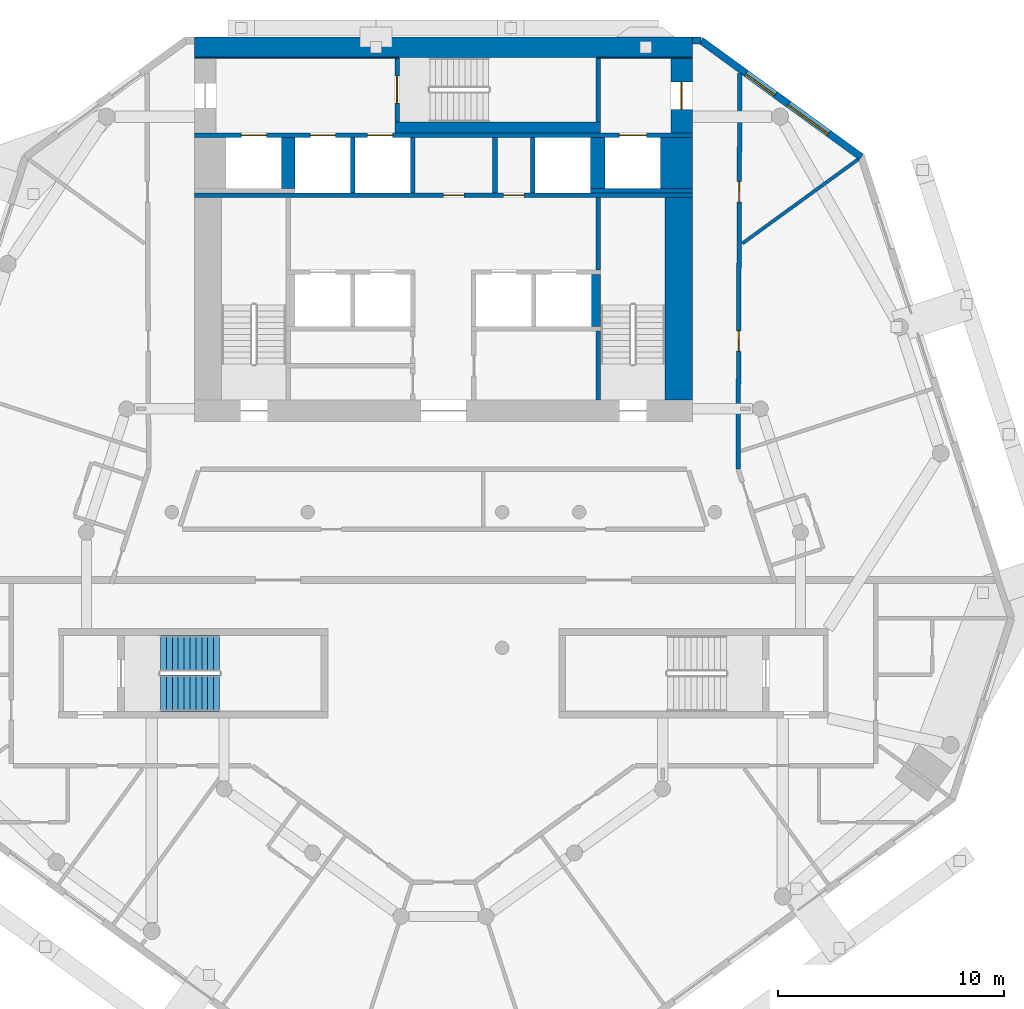
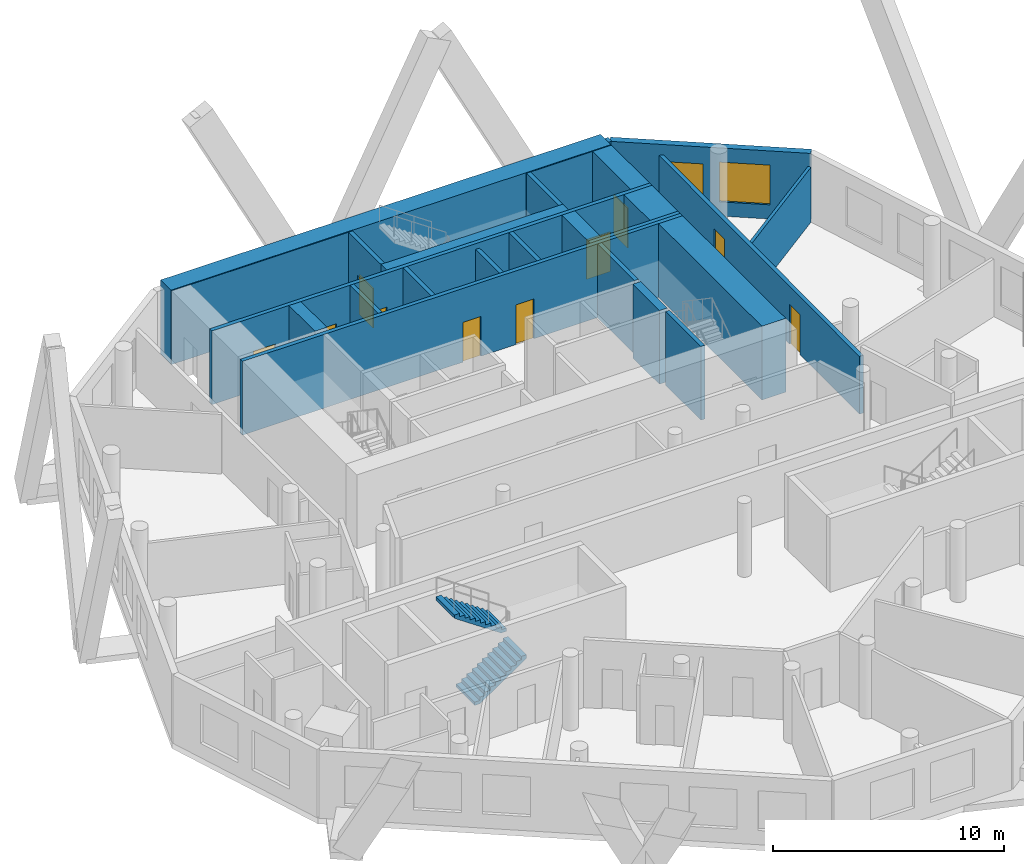
# One storey, part 7 of 10: 25 walls, 10 doors, 2 stair flights, 2 windows, 12 openings, 1 element without a shape of its own.
"""IFC4 building model written with IfcOpenShell, lengths in metres."""

from ifc_helpers import new_model, si_unit, direction, frame, frame_2d, origin, place, context, subcontext, project, spatial, polyline, rectangle, outline, extrude, material, layer, layer_set, type_object, element, fill, aggregate, save


model = new_model("IFC4")

# Units and contexts
model_context = context("Model", 3, precision=1e-05, world=origin(), true_north=direction((0.0, 1.0)))
body_context = subcontext(model_context, "Body", "Model", "MODEL_VIEW")
ifc_project = project(units=[si_unit("LENGTHUNIT", "METRE"), si_unit("AREAUNIT", "SQUARE_METRE"), si_unit("VOLUMEUNIT", "CUBIC_METRE"), si_unit("PLANEANGLEUNIT", "RADIAN"), si_unit("MASSUNIT", "GRAM", prefix="KILO")], contexts=[model_context])

# Site, building, storey
site_placement = place(None, origin())
site = spatial("IfcSite", under=ifc_project, at=site_placement, CompositionType="ELEMENT")
building_placement = place(site_placement, origin())
building = spatial("IfcBuilding", under=site, at=building_placement, Name="White Candle Pilgrim Tower", CompositionType="ELEMENT")
storey_placement = place(building_placement, frame((0.0, 0.0, 172.0)))
storey = spatial("IfcBuildingStorey", under=building, at=storey_placement, Name="L39", CompositionType="ELEMENT", Elevation=172.0)

# Walls
ifc_material_1 = material(Name="Concrete C60/75", Category="concrete")
ifc_layer_1 = layer(ifc_material_1, 1.39990234375)
ifc_layer_set_1 = layer_set([ifc_layer_1], Name="Core wall 1400 mm Concrete C60/75")
wall_type_1 = type_object("IfcWallType", Name="Core wall 1400 mm Concrete C60/75", PredefinedType="SHEAR", material=ifc_layer_set_1)
wall_1_placement = place(storey_placement, frame((80.300048828125, 81.300048828125, 0.0), z_axis=(0.0, 0.0, 1.0), x_axis=(0.0, 1.0, 0.0)))
element("IfcWall", 1, at=wall_1_placement, inside=storey, type_object=wall_type_1, Name="WL-L39-C43", PredefinedType="SHEAR", context=body_context, shape_type="SweptSolid", body=[
    extrude(rectangle(XDim=2.25, YDim=1.39990234375, at=frame_2d((1.125, 0.0))), origin(), (0.0, 0.0, 1.0), 3.89990234375),
])
ifc_layer_2 = layer(ifc_material_1, 0.199951171875)
ifc_layer_set_2 = layer_set([ifc_layer_2], Name="Core wall 200 mm Concrete C60/75")
wall_type_2 = type_object("IfcWallType", Name="Core wall 200 mm Concrete C60/75", PredefinedType="SHEAR", material=ifc_layer_set_2)
wall_2_placement = place(storey_placement, frame((76.5, 81.199951171875, 0.0), z_axis=(0.0, 0.0, 1.0), x_axis=(1.0, 0.0, 0.0)))
element("IfcWall", 2, at=wall_2_placement, inside=storey, type_object=wall_type_2, Name="WL-L39-C39", PredefinedType="SHEAR", context=body_context, shape_type="SweptSolid", body=[
    extrude(rectangle(XDim=4.5, YDim=0.199951171875, at=frame_2d((2.25, 0.0))), origin(), (0.0, 0.0, 1.0), 3.89990234375),
])

# Wall, openings, doors
wall_3_placement = place(storey_placement, frame((59.0, 83.64990234375, 0.0), z_axis=(0.0, 0.0, 1.0), x_axis=(1.0, 0.0, 0.0)))
wall_3 = element("IfcWall", 3, at=wall_3_placement, inside=storey, type_object=wall_type_2, Name="WL-L39-C44", PredefinedType="SHEAR", context=body_context, shape_type="SweptSolid", body=[
    extrude(rectangle(XDim=22.0, YDim=0.199951171875, at=frame_2d((11.0, 0.0))), origin(), (0.0, 0.0, 1.0), 3.89990234375),
])
opening_1_placement = place(wall_3_placement, frame((5.125, 0.0, 0.0)))
opening_1 = element("IfcOpeningElement", 4, at=opening_1_placement, cuts=wall_3, Name="Opening T12-018", PredefinedType="OPENING", context=body_context, shape_type="SweptSolid", body=[
    extrude(rectangle(XDim=1.10009765625, YDim=2.10009765625, at=frame_2d((0.550048828125, 1.050048828125))), frame((0.0, 0.10986328125, 0.0), z_axis=(0.0, -1.0, 0.0), x_axis=(1.0, 0.0, 0.0)), (0.0, 0.0, 1.0), 0.219970703125),
])
opening_2_placement = place(wall_3_placement, frame((7.64990234375, 0.0, 0.0)))
opening_2 = element("IfcOpeningElement", 5, at=opening_2_placement, cuts=wall_3, Name="Opening T12-019", PredefinedType="OPENING", context=body_context, shape_type="SweptSolid", body=[
    extrude(rectangle(XDim=1.10009765625, YDim=2.10009765625, at=frame_2d((0.550048828125, 1.050048828125))), frame((0.0, 0.10986328125, 0.0), z_axis=(0.0, -1.0, 0.0), x_axis=(1.0, 0.0, 0.0)), (0.0, 0.0, 1.0), 0.219970703125),
])
opening_3_placement = place(wall_3_placement, frame((18.77490234375, 0.0, 0.0)))
opening_3 = element("IfcOpeningElement", 6, at=opening_3_placement, cuts=wall_3, Name="Opening T12-020", PredefinedType="OPENING", context=body_context, shape_type="SweptSolid", body=[
    extrude(rectangle(XDim=1.199951171875, YDim=2.10009765625, at=frame_2d((0.60009765625, 1.050048828125))), frame((0.0, 0.10986328125, 0.0), z_axis=(0.0, -1.0, 0.0), x_axis=(1.0, 0.0, 0.0)), (0.0, 0.0, 1.0), 0.219970703125),
])
opening_4_placement = place(wall_3_placement, frame((2.074951171875, 0.0, 0.0)))
opening_4 = element("IfcOpeningElement", 7, at=opening_4_placement, cuts=wall_3, Name="Opening T12-021", PredefinedType="OPENING", context=body_context, shape_type="SweptSolid", body=[
    extrude(rectangle(XDim=1.10009765625, YDim=2.10009765625, at=frame_2d((0.550048828125, 1.050048828125))), frame((0.0, 0.10986328125, 0.0), z_axis=(0.0, -1.0, 0.0), x_axis=(1.0, 0.0, 0.0)), (0.0, 0.0, 1.0), 0.219970703125),
])
ifc_material_2 = material(Name="Stainless steel", Category="steel")
door_type_1 = type_object("IfcDoorType", Name="Lift landing door 1100 x 2100 EI 60", OperationType="DOUBLE_DOOR_SLIDING", PredefinedType="DOOR", material=ifc_material_2)
door_1_placement = place(opening_1_placement, origin())
door_1 = element("IfcDoor", 8, at=door_1_placement, inside=storey, type_object=door_type_1, Name="Door T12-018", OperationType="DOUBLE_DOOR_SLIDING", OverallHeight=2.10009765625, OverallWidth=1.10009765625, PredefinedType="DOOR", context=body_context, shape_type="SweptSolid", body=[
    extrude(rectangle(XDim=1.10009765625, YDim=2.10009765625, at=frame_2d((0.550048828125, 1.050048828125))), frame((0.0, 0.02490234375, 0.0), z_axis=(0.0, -1.0, 0.0), x_axis=(1.0, 0.0, 0.0)), (0.0, 0.0, 1.0), 0.050048828125),
])
fill(opening_1, door_1)
door_2_placement = place(opening_2_placement, origin())
door_2 = element("IfcDoor", 9, at=door_2_placement, inside=storey, type_object=door_type_1, Name="Door T12-019", OperationType="DOUBLE_DOOR_SLIDING", OverallHeight=2.10009765625, OverallWidth=1.10009765625, PredefinedType="DOOR", context=body_context, shape_type="SweptSolid", body=[
    extrude(rectangle(XDim=1.10009765625, YDim=2.10009765625, at=frame_2d((0.550048828125, 1.050048828125))), frame((0.0, 0.02490234375, 0.0), z_axis=(0.0, -1.0, 0.0), x_axis=(1.0, 0.0, 0.0)), (0.0, 0.0, 1.0), 0.050048828125),
])
fill(opening_2, door_2)
door_3_placement = place(opening_4_placement, origin())
door_3 = element("IfcDoor", 10, at=door_3_placement, inside=storey, type_object=door_type_1, Name="Door T12-021", OperationType="DOUBLE_DOOR_SLIDING", OverallHeight=2.10009765625, OverallWidth=1.10009765625, PredefinedType="DOOR", context=body_context, shape_type="SweptSolid", body=[
    extrude(rectangle(XDim=1.10009765625, YDim=2.10009765625, at=frame_2d((0.550048828125, 1.050048828125))), frame((0.0, 0.02490234375, 0.0), z_axis=(0.0, -1.0, 0.0), x_axis=(1.0, 0.0, 0.0)), (0.0, 0.0, 1.0), 0.050048828125),
])
fill(opening_4, door_3)
door_type_2 = type_object("IfcDoorType", Name="Lift landing door 1200 x 2100 E 60", OperationType="DOUBLE_DOOR_SLIDING", PredefinedType="DOOR", material=ifc_material_2)
door_4_placement = place(opening_3_placement, origin())
door_4 = element("IfcDoor", 11, at=door_4_placement, inside=storey, type_object=door_type_2, Name="Door T12-020", OperationType="DOUBLE_DOOR_SLIDING", OverallHeight=2.10009765625, OverallWidth=1.199951171875, PredefinedType="DOOR", context=body_context, shape_type="SweptSolid", body=[
    extrude(rectangle(XDim=1.199951171875, YDim=2.10009765625, at=frame_2d((0.60009765625, 1.050048828125))), frame((0.0, 0.02490234375, 0.0), z_axis=(0.0, -1.0, 0.0), x_axis=(1.0, 0.0, 0.0)), (0.0, 0.0, 1.0), 0.050048828125),
])
fill(opening_3, door_4)

# Wall, opening, door
ifc_layer_3 = layer(ifc_material_1, 0.949951171875)
ifc_layer_set_3 = layer_set([ifc_layer_3], Name="Core wall 950 mm Concrete C60/75")
wall_type_3 = type_object("IfcWallType", Name="Core wall 950 mm Concrete C60/75", PredefinedType="SHEAR", material=ifc_layer_set_3)
wall_4_placement = place(storey_placement, frame((80.52490234375, 83.75, 0.0), z_axis=(0.0, 0.0, 1.0), x_axis=(0.0, 1.0, 0.0)))
wall_4 = element("IfcWall", 12, at=wall_4_placement, inside=storey, type_object=wall_type_3, Name="WL-L39-C47", PredefinedType="SHEAR", context=body_context, shape_type="SweptSolid", body=[
    extrude(rectangle(XDim=3.300048828125, YDim=0.949951171875, at=frame_2d((1.64990234375, 0.0))), origin(), (0.0, 0.0, 1.0), 3.89990234375),
])
opening_5_placement = place(wall_4_placement, frame((1.050048828125, 0.0, 0.0)))
opening_5 = element("IfcOpeningElement", 13, at=opening_5_placement, cuts=wall_4, Name="Opening T12-009", PredefinedType="OPENING", context=body_context, shape_type="SweptSolid", body=[
    extrude(rectangle(XDim=1.199951171875, YDim=2.10009765625, at=frame_2d((0.60009765625, 1.050048828125))), frame((0.0, 0.48486328125, 0.0), z_axis=(0.0, -1.0, 0.0), x_axis=(1.0, 0.0, 0.0)), (0.0, 0.0, 1.0), 0.969970703125),
])
ifc_material_3 = material(Name="Steel door leaf", Category="steel")
door_type_3 = type_object("IfcDoorType", Name="Fire door 1200 x 2100 EI 30", OperationType="NOTDEFINED", PredefinedType="DOOR", material=ifc_material_3)
door_5_placement = place(opening_5_placement, origin())
door_5 = element("IfcDoor", 14, at=door_5_placement, inside=storey, type_object=door_type_3, Name="Door T12-009", OperationType="SINGLE_SWING_LEFT", OverallHeight=2.10009765625, OverallWidth=1.199951171875, PredefinedType="DOOR", context=body_context, shape_type="SweptSolid", body=[
    extrude(rectangle(XDim=1.199951171875, YDim=2.10009765625, at=frame_2d((0.60009765625, 1.050048828125))), frame((0.0, 0.02490234375, 0.0), z_axis=(0.0, -1.0, 0.0), x_axis=(1.0, 0.0, 0.0)), (0.0, 0.0, 1.0), 0.050048828125),
])
fill(opening_5, door_5)

# Wall, openings, doors
ifc_material_4 = material(Name="Gypsum board on steel studs", Category="steel")
ifc_layer_4 = layer(ifc_material_4, 0.199951171875)
ifc_layer_set_4 = layer_set([ifc_layer_4], Name="Corridor wall 200 mm EI 45")
wall_type_4 = type_object("IfcWallType", Name="Corridor wall 200 mm EI 45", PredefinedType="PARTITIONING", material=ifc_layer_set_4)
wall_5_placement = place(storey_placement, frame((83.10009765625, 86.396240234375, 0.0), z_axis=(0.0, 0.0, 1.0), x_axis=(-0.004315662543, -0.999990687485, 0.0)))
wall_5 = element("IfcWall", 15, at=wall_5_placement, inside=storey, type_object=wall_type_4, Name="WL-L39-P004", PredefinedType="PARTITIONING", context=body_context, shape_type="SweptSolid", body=[
    extrude(rectangle(XDim=17.48046875, YDim=0.199951171875, at=frame_2d((8.740234375, 0.0))), origin(), (0.0, 0.0, 1.0), 3.050048828125),
])
opening_6_placement = place(wall_5_placement, frame((4.7939453125, 0.0, 0.0)))
opening_6 = element("IfcOpeningElement", 16, at=opening_6_placement, cuts=wall_5, Name="Opening T12-125", PredefinedType="OPENING", context=body_context, shape_type="SweptSolid", body=[
    extrude(rectangle(XDim=0.89990234375, YDim=2.10009765625, at=frame_2d((0.449951171875, 1.050048828125))), frame((0.0, 0.10986328125, 0.0), z_axis=(0.0, -1.0, 0.0), x_axis=(1.0, 0.0, 0.0)), (0.0, 0.0, 1.0), 0.219970703125),
])
opening_7_placement = place(wall_5_placement, frame((11.3857421875, 0.0, 0.0)))
opening_7 = element("IfcOpeningElement", 17, at=opening_7_placement, cuts=wall_5, Name="Opening T12-126", PredefinedType="OPENING", context=body_context, shape_type="SweptSolid", body=[
    extrude(rectangle(XDim=0.89990234375, YDim=2.10009765625, at=frame_2d((0.449951171875, 1.050048828125))), frame((0.0, 0.10986328125, 0.0), z_axis=(0.0, -1.0, 0.0), x_axis=(1.0, 0.0, 0.0)), (0.0, 0.0, 1.0), 0.219970703125),
])
door_type_4 = type_object("IfcDoorType", Name="Fire door 900 x 2100 EI 30", OperationType="NOTDEFINED", PredefinedType="DOOR", material=ifc_material_3)
door_6_placement = place(opening_6_placement, origin())
door_6 = element("IfcDoor", 18, at=door_6_placement, inside=storey, type_object=door_type_4, Name="Door T12-125", OperationType="SINGLE_SWING_LEFT", OverallHeight=2.10009765625, OverallWidth=0.89990234375, PredefinedType="DOOR", context=body_context, shape_type="SweptSolid", body=[
    extrude(rectangle(XDim=0.89990234375, YDim=2.10009765625, at=frame_2d((0.449951171875, 1.050048828125))), frame((0.0, 0.02490234375, 0.0), z_axis=(0.0, -1.0, 0.0), x_axis=(1.0, 0.0, 0.0)), (0.0, 0.0, 1.0), 0.050048828125),
])
fill(opening_6, door_6)
door_7_placement = place(opening_7_placement, origin())
door_7 = element("IfcDoor", 19, at=door_7_placement, inside=storey, type_object=door_type_4, Name="Door T12-126", OperationType="SINGLE_SWING_RIGHT", OverallHeight=2.10009765625, OverallWidth=0.89990234375, PredefinedType="DOOR", context=body_context, shape_type="SweptSolid", body=[
    extrude(rectangle(XDim=0.89990234375, YDim=2.10009765625, at=frame_2d((0.449951171875, 1.050048828125))), frame((0.0, 0.02490234375, 0.0), z_axis=(0.0, -1.0, 0.0), x_axis=(1.0, 0.0, 0.0)), (0.0, 0.0, 1.0), 0.050048828125),
])
fill(opening_7, door_7)

# Wall, openings, windows
ifc_material_5 = material(Name="Precast concrete C40/50", Category="concrete")
ifc_layer_5 = layer(ifc_material_5, 0.320068359375)
ifc_layer_set_5 = layer_set([ifc_layer_5], Name="Facade wall EW1 precast concrete C40/50 pier wall with timber-lined reveals")
wall_type_5 = type_object("IfcWallType", Name="Facade wall EW1 precast concrete C40/50 pier wall with timber-lined reveals", PredefinedType="SOLIDWALL", material=ifc_layer_set_5)
wall_6_placement = place(storey_placement, frame((88.468505859375, 82.693603515625, 0.0), z_axis=(0.0, 0.0, 1.0), x_axis=(-0.809015733499, 0.587786987735, 0.0)))
wall_6 = element("IfcWall", 20, at=wall_6_placement, inside=storey, type_object=wall_type_5, Name="Facade wall L39 NE chamfer", PredefinedType="SOLIDWALL", context=body_context, shape_type="SweptSolid", body=[
    extrude(rectangle(XDim=8.755615234375, YDim=0.320068359375, at=frame_2d((4.3779296875, 0.0))), origin(), (0.0, 0.0, 1.0), 3.60009765625),
])
opening_8_placement = place(wall_6_placement, frame((1.77783203125, 0.0, 0.75)))
opening_8 = element("IfcOpeningElement", 21, at=opening_8_placement, cuts=wall_6, Name="Opening W4", PredefinedType="OPENING", context=body_context, shape_type="SweptSolid", body=[
    extrude(rectangle(XDim=2.199951171875, YDim=2.10009765625, at=frame_2d((1.10009765625, 1.050048828125))), frame((0.0, 0.169921875, 0.0), z_axis=(0.0, -1.0, 0.0), x_axis=(1.0, 0.0, 0.0)), (0.0, 0.0, 1.0), 0.340087890625),
])
opening_9_placement = place(wall_6_placement, frame((4.6962890625, 0.0, 0.89990234375)))
opening_9 = element("IfcOpeningElement", 22, at=opening_9_placement, cuts=wall_6, Name="Opening W2", PredefinedType="OPENING", context=body_context, shape_type="SweptSolid", body=[
    extrude(rectangle(XDim=1.60009765625, YDim=1.800048828125, at=frame_2d((0.800048828125, 0.89990234375))), frame((0.0, 0.169921875, 0.0), z_axis=(0.0, -1.0, 0.0), x_axis=(1.0, 0.0, 0.0)), (0.0, 0.0, 1.0), 0.340087890625),
])
ifc_material_6 = material(Name="Timber frame with triple glazing", Category="wood")
window_type_1 = type_object("IfcWindowType", Name="Window W2 1600x1800 timber frame triple glazing", PartitioningType="SINGLE_PANEL", PredefinedType="WINDOW", material=ifc_material_6)
window_1_placement = place(opening_9_placement, origin())
window_1 = element("IfcWindow", 23, at=window_1_placement, inside=storey, type_object=window_type_1, Name="Window W2 L39 NE chamfer 2", OverallHeight=1.800048828125, OverallWidth=1.60009765625, PartitioningType="SINGLE_PANEL", PredefinedType="WINDOW", context=body_context, shape_type="SweptSolid", body=[
    extrude(rectangle(XDim=1.60009765625, YDim=1.800048828125, at=frame_2d((0.800048828125, 0.89990234375))), frame((0.0, 0.070068359375, 0.0), z_axis=(0.0, -1.0, 0.0), x_axis=(1.0, 0.0, 0.0)), (0.0, 0.0, 1.0), 0.06005859375),
])
fill(opening_9, window_1)
window_type_2 = type_object("IfcWindowType", Name="Window W4 2200x2100 timber frame triple glazing", PartitioningType="SINGLE_PANEL", PredefinedType="WINDOW", material=ifc_material_6)
window_2_placement = place(opening_8_placement, origin())
window_2 = element("IfcWindow", 24, at=window_2_placement, inside=storey, type_object=window_type_2, Name="Window W4 L39 NE chamfer 1", OverallHeight=2.10009765625, OverallWidth=2.199951171875, PartitioningType="SINGLE_PANEL", PredefinedType="WINDOW", context=body_context, shape_type="SweptSolid", body=[
    extrude(rectangle(XDim=2.199951171875, YDim=2.10009765625, at=frame_2d((1.10009765625, 1.050048828125))), frame((0.0, 0.070068359375, 0.0), z_axis=(0.0, -1.0, 0.0), x_axis=(1.0, 0.0, 0.0)), (0.0, 0.0, 1.0), 0.06005859375),
])
fill(opening_8, window_2)

# Walls
wall_7_placement = place(storey_placement, frame((81.385009765625, 87.840087890625, 0.0), z_axis=(0.0, 0.0, 1.0), x_axis=(-1.0, 0.0, 0.0)))
element("IfcWall", 25, at=wall_7_placement, inside=storey, type_object=wall_type_5, Name="Facade wall L39 N", PredefinedType="SOLIDWALL", context=body_context, shape_type="SweptSolid", body=[
    extrude(rectangle(XDim=0.385009765625, YDim=0.320068359375, at=frame_2d((0.1923828125, 0.0))), origin(), (0.0, 0.0, 1.0), 3.60009765625),
])
ifc_layer_6 = layer(ifc_material_4, 0.199951171875)
ifc_layer_set_6 = layer_set([ifc_layer_6], Name="Lobby wall 200 mm EI 60")
wall_type_6 = type_object("IfcWallType", Name="Lobby wall 200 mm EI 60", PredefinedType="PARTITIONING", material=ifc_layer_set_6)
wall_8_placement = place(storey_placement, frame((72.280029296875, 81.10009765625, 0.0), z_axis=(0.0, 0.0, 1.0), x_axis=(0.0, 1.0, 0.0)))
element("IfcWall", 26, at=wall_8_placement, inside=storey, type_object=wall_type_6, Name="WL-L39-C37", PredefinedType="PARTITIONING", context=body_context, shape_type="SweptSolid", body=[
    extrude(rectangle(XDim=2.449951171875, YDim=0.199951171875, at=frame_2d((1.22509765625, 0.0))), origin(), (0.0, 0.0, 1.0), 3.60009765625),
])
ifc_layer_7 = layer(ifc_material_4, 0.14990234375)
ifc_layer_set_7 = layer_set([ifc_layer_7], Name="Partition 150 mm EI 60")
wall_type_7 = type_object("IfcWallType", Name="Partition 150 mm EI 60", PredefinedType="PARTITIONING", material=ifc_layer_set_7)
wall_9_placement = place(storey_placement, frame((88.33251953125, 82.594482421875, 0.0), z_axis=(0.0, 0.0, 1.0), x_axis=(-0.809026220211, -0.587772553809, 0.0)))
element("IfcWall", 27, at=wall_9_placement, inside=storey, type_object=wall_type_7, Name="WL-L39-P024", PredefinedType="PARTITIONING", context=body_context, shape_type="SweptSolid", body=[
    extrude(rectangle(XDim=6.329345703125, YDim=0.14990234375, at=frame_2d((3.16455078125, 0.0))), origin(), (0.0, 0.0, 1.0), 2.89990234375),
])
ifc_layer_8 = layer(ifc_material_1, 0.199951171875)
ifc_layer_set_8 = layer_set([ifc_layer_8], Name="Shaft wall 200 mm Concrete C60/75")
wall_type_8 = type_object("IfcWallType", Name="Shaft wall 200 mm Concrete C60/75", PredefinedType="SHEAR", material=ifc_layer_set_8)
for number, where, z_axis, x_axis, name in (
    (28, (66.0, 81.10009765625, 0.0), (0.0, 0.0, 1.0), (0.0, 1.0, 0.0), "WL-L39-C35"),
    (29, (68.64990234375, 81.10009765625, 0.0), (0.0, 0.0, 1.0), (0.0, 1.0, 0.0), "WL-L39-C36"),
    (30, (73.949951171875, 81.10009765625, 0.0), (0.0, 0.0, 1.0), (0.0, 1.0, 0.0), "WL-L39-C38"),
):
    element("IfcWall", number, at=place(storey_placement, frame(where, z_axis=z_axis, x_axis=x_axis)), inside=storey, type_object=wall_type_8, Name=name, PredefinedType="SHEAR", context=body_context, shape_type="SweptSolid", body=[
        extrude(rectangle(XDim=2.449951171875, YDim=0.199951171875, at=frame_2d((1.22509765625, 0.0))), origin(), (0.0, 0.0, 1.0), 3.89990234375),
    ])
ifc_layer_9 = layer(ifc_material_1, 0.60009765625)
ifc_layer_set_9 = layer_set([ifc_layer_9], Name="Shaft wall 600 mm Concrete C60/75")
wall_type_9 = type_object("IfcWallType", Name="Shaft wall 600 mm Concrete C60/75", PredefinedType="SHEAR", material=ifc_layer_set_9)
wall_10_placement = place(storey_placement, frame((63.14990234375, 81.300048828125, 0.0), z_axis=(0.0, 0.0, 1.0), x_axis=(0.0, 1.0, 0.0)))
element("IfcWall", 31, at=wall_10_placement, inside=storey, type_object=wall_type_9, Name="WL-L39-C41", PredefinedType="SHEAR", context=body_context, shape_type="SweptSolid", body=[
    extrude(rectangle(XDim=2.25, YDim=0.60009765625, at=frame_2d((1.125, 0.0))), origin(), (0.0, 0.0, 1.0), 3.89990234375),
])
ifc_layer_10 = layer(ifc_material_1, 0.64990234375)
ifc_layer_set_10 = layer_set([ifc_layer_10], Name="Shaft wall 650 mm Concrete C60/75")
wall_type_10 = type_object("IfcWallType", Name="Shaft wall 650 mm Concrete C60/75", PredefinedType="SHEAR", material=ifc_layer_set_10)
wall_11_placement = place(storey_placement, frame((76.824951171875, 81.300048828125, 0.0), z_axis=(0.0, 0.0, 1.0), x_axis=(0.0, 1.0, 0.0)))
element("IfcWall", 32, at=wall_11_placement, inside=storey, type_object=wall_type_10, Name="WL-L39-C42", PredefinedType="SHEAR", context=body_context, shape_type="SweptSolid", body=[
    extrude(rectangle(XDim=2.25, YDim=0.64990234375, at=frame_2d((1.125, 0.0))), origin(), (0.0, 0.0, 1.0), 3.89990234375),
])
ifc_layer_11 = layer(ifc_material_1, 1.199951171875)
ifc_layer_set_11 = layer_set([ifc_layer_11], Name="Stair shaft wall 1200 mm Concrete C60/75")
wall_type_11 = type_object("IfcWallType", Name="Stair shaft wall 1200 mm Concrete C60/75", PredefinedType="SHEAR", material=ifc_layer_set_11)
wall_12_placement = place(storey_placement, frame((80.39990234375, 71.949951171875, 0.0), z_axis=(0.0, 0.0, 1.0), x_axis=(0.0, 1.0, 0.0)))
element("IfcWall", 33, at=wall_12_placement, inside=storey, type_object=wall_type_11, Name="WL-L39-C17", PredefinedType="SHEAR", context=body_context, shape_type="SweptSolid", body=[
    extrude(rectangle(XDim=8.949951171875, YDim=1.199951171875, at=frame_2d((4.47509765625, 0.0))), origin(), (0.0, 0.0, 1.0), 3.89990234375),
])
ifc_layer_12 = layer(ifc_material_1, 0.199951171875)
ifc_layer_set_12 = layer_set([ifc_layer_12], Name="Stair shaft wall 200 mm Concrete C60/75")
wall_type_12 = type_object("IfcWallType", Name="Stair shaft wall 200 mm Concrete C60/75", PredefinedType="SHEAR", material=ifc_layer_set_12)
wall_13_placement = place(storey_placement, frame((76.85009765625, 71.949951171875, 0.0), z_axis=(0.0, 0.0, 1.0), x_axis=(0.0, 1.0, 0.0)))
element("IfcWall", 34, at=wall_13_placement, inside=storey, type_object=wall_type_12, Name="WL-L39-C16", PredefinedType="SHEAR", context=body_context, shape_type="SweptSolid", body=[
    extrude(rectangle(XDim=3.050048828125, YDim=0.199951171875, at=frame_2d((1.52490234375, 0.0))), origin(), (0.0, 0.0, 1.0), 3.89990234375),
])
wall_14_placement = place(storey_placement, frame((76.85009765625, 77.699951171875, 0.0), z_axis=(0.0, 0.0, 1.0), x_axis=(0.0, 1.0, 0.0)))
element("IfcWall", 35, at=wall_14_placement, inside=storey, type_object=wall_type_12, Name="WL-L39-C32", PredefinedType="SHEAR", context=body_context, shape_type="SweptSolid", body=[
    extrude(rectangle(XDim=3.199951171875, YDim=0.199951171875, at=frame_2d((1.60009765625, 0.0))), origin(), (0.0, 0.0, 1.0), 3.89990234375),
])

# Wall, openings, doors
wall_15_placement = place(storey_placement, frame((59.0, 81.0, 0.0), z_axis=(0.0, 0.0, 1.0), x_axis=(1.0, 0.0, 0.0)))
wall_15 = element("IfcWall", 36, at=wall_15_placement, inside=storey, type_object=wall_type_12, Name="WL-L39-C33", PredefinedType="SHEAR", context=body_context, shape_type="SweptSolid", body=[
    extrude(rectangle(XDim=22.0, YDim=0.199951171875, at=frame_2d((11.0, 0.0))), origin(), (0.0, 0.0, 1.0), 3.89990234375),
])
opening_10_placement = place(wall_15_placement, frame((11.014892578125, 0.0, 0.0)))
opening_10 = element("IfcOpeningElement", 37, at=opening_10_placement, cuts=wall_15, Name="Opening T12-022", PredefinedType="OPENING", context=body_context, shape_type="SweptSolid", body=[
    extrude(rectangle(XDim=0.89990234375, YDim=2.10009765625, at=frame_2d((0.449951171875, 1.050048828125))), frame((0.0, 0.10986328125, 0.0), z_axis=(0.0, -1.0, 0.0), x_axis=(1.0, 0.0, 0.0)), (0.0, 0.0, 1.0), 0.219970703125),
])
opening_11_placement = place(wall_15_placement, frame((13.6650390625, 0.0, 0.0)))
opening_11 = element("IfcOpeningElement", 38, at=opening_11_placement, cuts=wall_15, Name="Opening T12-023", PredefinedType="OPENING", context=body_context, shape_type="SweptSolid", body=[
    extrude(rectangle(XDim=0.89990234375, YDim=2.10009765625, at=frame_2d((0.449951171875, 1.050048828125))), frame((0.0, 0.10986328125, 0.0), z_axis=(0.0, -1.0, 0.0), x_axis=(1.0, 0.0, 0.0)), (0.0, 0.0, 1.0), 0.219970703125),
])
door_8_placement = place(opening_10_placement, origin())
door_8 = element("IfcDoor", 39, at=door_8_placement, inside=storey, type_object=door_type_4, Name="Door T12-022", OperationType="SINGLE_SWING_RIGHT", OverallHeight=2.10009765625, OverallWidth=0.89990234375, PredefinedType="DOOR", context=body_context, shape_type="SweptSolid", body=[
    extrude(rectangle(XDim=0.89990234375, YDim=2.10009765625, at=frame_2d((0.449951171875, 1.050048828125))), frame((0.0, 0.02490234375, 0.0), z_axis=(0.0, -1.0, 0.0), x_axis=(1.0, 0.0, 0.0)), (0.0, 0.0, 1.0), 0.050048828125),
])
fill(opening_10, door_8)
door_9_placement = place(opening_11_placement, origin())
door_9 = element("IfcDoor", 40, at=door_9_placement, inside=storey, type_object=door_type_4, Name="Door T12-023", OperationType="SINGLE_SWING_LEFT", OverallHeight=2.10009765625, OverallWidth=0.89990234375, PredefinedType="DOOR", context=body_context, shape_type="SweptSolid", body=[
    extrude(rectangle(XDim=0.89990234375, YDim=2.10009765625, at=frame_2d((0.449951171875, 1.050048828125))), frame((0.0, 0.02490234375, 0.0), z_axis=(0.0, -1.0, 0.0), x_axis=(1.0, 0.0, 0.0)), (0.0, 0.0, 1.0), 0.050048828125),
])
fill(opening_11, door_9)

# Wall, opening, door
wall_16_placement = place(storey_placement, frame((67.949951171875, 84.25, 0.0), z_axis=(0.0, 0.0, 1.0), x_axis=(0.0, 1.0, 0.0)))
wall_16 = element("IfcWall", 41, at=wall_16_placement, inside=storey, type_object=wall_type_12, Name="WL-L39-C48", PredefinedType="SHEAR", context=body_context, shape_type="SweptSolid", body=[
    extrude(rectangle(XDim=2.800048828125, YDim=0.199951171875, at=frame_2d((1.39990234375, 0.0))), origin(), (0.0, 0.0, 1.0), 3.89990234375),
])
opening_12_placement = place(wall_16_placement, frame((0.824951171875, 0.0, 0.0)))
opening_12 = element("IfcOpeningElement", 42, at=opening_12_placement, cuts=wall_16, Name="Opening T12-003", PredefinedType="OPENING", context=body_context, shape_type="SweptSolid", body=[
    extrude(rectangle(XDim=1.199951171875, YDim=2.10009765625, at=frame_2d((0.60009765625, 1.050048828125))), frame((0.0, 0.10986328125, 0.0), z_axis=(0.0, -1.0, 0.0), x_axis=(1.0, 0.0, 0.0)), (0.0, 0.0, 1.0), 0.219970703125),
])
door_type_5 = type_object("IfcDoorType", Name="Fire door 1200 x 2100 EI 60", OperationType="NOTDEFINED", PredefinedType="DOOR", material=ifc_material_3)
door_10_placement = place(opening_12_placement, frame((1.199951171875, 0.0, 0.0), z_axis=(0.0, 0.0, 1.0), x_axis=(-1.0, 0.0, 0.0)))
door_10 = element("IfcDoor", 43, at=door_10_placement, inside=storey, type_object=door_type_5, Name="Door T12-003", OperationType="SINGLE_SWING_RIGHT", OverallHeight=2.10009765625, OverallWidth=1.199951171875, PredefinedType="DOOR", context=body_context, shape_type="SweptSolid", body=[
    extrude(rectangle(XDim=1.199951171875, YDim=2.10009765625, at=frame_2d((0.60009765625, 1.050048828125))), frame((0.0, 0.02490234375, 0.0), z_axis=(0.0, -1.0, 0.0), x_axis=(1.0, 0.0, 0.0)), (0.0, 0.0, 1.0), 0.050048828125),
])
fill(opening_12, door_10)

# Walls
wall_17_placement = place(storey_placement, frame((76.85009765625, 84.25, 0.0), z_axis=(0.0, 0.0, 1.0), x_axis=(0.0, 1.0, 0.0)))
element("IfcWall", 44, at=wall_17_placement, inside=storey, type_object=wall_type_12, Name="WL-L39-C49", PredefinedType="SHEAR", context=body_context, shape_type="SweptSolid", body=[
    extrude(rectangle(XDim=2.800048828125, YDim=0.199951171875, at=frame_2d((1.39990234375, 0.0))), origin(), (0.0, 0.0, 1.0), 3.89990234375),
])
ifc_layer_13 = layer(ifc_material_1, 0.39990234375)
ifc_layer_set_13 = layer_set([ifc_layer_13], Name="Stair shaft wall 400 mm Concrete C60/75")
wall_type_13 = type_object("IfcWallType", Name="Stair shaft wall 400 mm Concrete C60/75", PredefinedType="SHEAR", material=ifc_layer_set_13)
wall_18_placement = place(storey_placement, frame((76.75, 75.199951171875, 0.0), z_axis=(0.0, 0.0, 1.0), x_axis=(0.0, 1.0, 0.0)))
element("IfcWall", 45, at=wall_18_placement, inside=storey, type_object=wall_type_13, Name="WL-L39-C28", PredefinedType="SHEAR", context=body_context, shape_type="SweptSolid", body=[
    extrude(rectangle(XDim=2.300048828125, YDim=0.39990234375, at=frame_2d((1.14990234375, 0.0))), origin(), (0.0, 0.0, 1.0), 3.89990234375),
])
ifc_layer_14 = layer(ifc_material_1, 0.050048828125)
ifc_layer_set_14 = layer_set([ifc_layer_14], Name="Stair shaft wall 50 mm Concrete C60/75")
wall_type_14 = type_object("IfcWallType", Name="Stair shaft wall 50 mm Concrete C60/75", PredefinedType="SHEAR", material=ifc_layer_set_14)
wall_19_placement = place(storey_placement, frame((59.0, 87.074951171875, 0.0), z_axis=(0.0, 0.0, 1.0), x_axis=(1.0, 0.0, 0.0)))
element("IfcWall", 46, at=wall_19_placement, inside=storey, type_object=wall_type_14, Name="WL-L39-C50", PredefinedType="SHEAR", context=body_context, shape_type="SweptSolid", body=[
    extrude(rectangle(XDim=9.050048828125, YDim=0.050048828125, at=frame_2d((4.52490234375, 0.0))), origin(), (0.0, 0.0, 1.0), 3.89990234375),
])
wall_20_placement = place(storey_placement, frame((76.75, 87.074951171875, 0.0), z_axis=(0.0, 0.0, 1.0), x_axis=(1.0, 0.0, 0.0)))
element("IfcWall", 47, at=wall_20_placement, inside=storey, type_object=wall_type_14, Name="WL-L39-C51", PredefinedType="SHEAR", context=body_context, shape_type="SweptSolid", body=[
    extrude(rectangle(XDim=4.25, YDim=0.050048828125, at=frame_2d((2.125, 0.0))), origin(), (0.0, 0.0, 1.0), 3.89990234375),
])
ifc_layer_15 = layer(ifc_material_1, 0.5)
ifc_layer_set_15 = layer_set([ifc_layer_15], Name="Stair shaft wall 500 mm Concrete C60/75")
wall_type_15 = type_object("IfcWallType", Name="Stair shaft wall 500 mm Concrete C60/75", PredefinedType="SHEAR", material=ifc_layer_set_15)
wall_21_placement = place(storey_placement, frame((67.85009765625, 84.0, 0.0), z_axis=(0.0, 0.0, 1.0), x_axis=(1.0, 0.0, 0.0)))
element("IfcWall", 48, at=wall_21_placement, inside=storey, type_object=wall_type_15, Name="WL-L39-C46", PredefinedType="SHEAR", context=body_context, shape_type="SweptSolid", body=[
    extrude(rectangle(XDim=9.099853515625, YDim=0.5, at=frame_2d((4.5498046875, 0.0))), origin(), (0.0, 0.0, 1.0), 3.89990234375),
])
ifc_layer_16 = layer(ifc_material_1, 0.89990234375)
ifc_layer_set_16 = layer_set([ifc_layer_16], Name="Stair shaft wall 900 mm Concrete C60/75")
wall_type_16 = type_object("IfcWallType", Name="Stair shaft wall 900 mm Concrete C60/75", PredefinedType="SHEAR", material=ifc_layer_set_16)
wall_22_placement = place(storey_placement, frame((59.0, 87.550048828125, 0.0), z_axis=(0.0, 0.0, 1.0), x_axis=(1.0, 0.0, 0.0)))
element("IfcWall", 49, at=wall_22_placement, inside=storey, type_object=wall_type_16, Name="WL-L39-C52", PredefinedType="SHEAR", context=body_context, shape_type="SweptSolid", body=[
    extrude(rectangle(XDim=22.0, YDim=0.89990234375, at=frame_2d((11.0, 0.0))), origin(), (0.0, 0.0, 1.0), 3.89990234375),
])

# Stair, stair flights
ifc_material_7 = material(Name="Concrete C40/50", Category="concrete")
stair_type = type_object("IfcStairType", Name="Exit stair 5 flight width 1600 mm", PredefinedType="HALF_TURN_STAIR", material=ifc_material_7)
stair_placement = place(storey_placement, origin())
stair = element("IfcStair", 50, at=stair_placement, inside=storey, type_object=stair_type, Name="L39 stair 5", PredefinedType="NOTDEFINED")
ifc_layer_17 = layer(ifc_material_7, 0.14990234375)
ifc_layer_set_17 = layer_set([ifc_layer_17], Name="Stair flight Concrete C40/50")
stair_flight_type = type_object("IfcStairFlightType", Name="Stair flight Concrete C40/50", PredefinedType="STRAIGHT", material=ifc_layer_set_17)
stair_flight_1_placement = place(storey_placement, frame((57.5, 59.0, 0.0), z_axis=(0.0, 0.0, 1.0), x_axis=(1.0, 0.0, 0.0)))
stair_flight_1 = element("IfcStairFlight", 51, at=stair_flight_1_placement, type_object=stair_flight_type, Name="ST5 flight 1", NumberOfRisers=11, NumberOfTreads=10, PredefinedType="NOTDEFINED", RiserHeight=0.177272727, TreadLength=0.26, context=body_context, shape_type="SweptSolid", body=[
    extrude(outline(polyline([(0.0, 0.0), (0.0, 0.17724609375), (0.260009765625, 0.17724609375), (0.260009765625, 0.3544921875), (0.52001953125, 0.3544921875), (0.52001953125, 0.53173828125), (0.780029296875, 0.53173828125), (0.780029296875, 0.708984375), (1.0400390625, 0.708984375), (1.0400390625, 0.886474609375), (1.300048828125, 0.886474609375), (1.300048828125, 1.063720703125), (1.56005859375, 1.063720703125), (1.56005859375, 1.240966796875), (1.820068359375, 1.240966796875), (1.820068359375, 1.418212890625), (2.080078125, 1.418212890625), (2.080078125, 1.595458984375), (2.340087890625, 1.595458984375), (2.340087890625, 1.772705078125), (2.60009765625, 1.772705078125), (2.60009765625, 1.949951171875), (2.60009765625, 1.59130859375), (0.26611328125, 0.0), (0.0, 0.0)])), frame((0.0, 0.800048828125, 0.0), z_axis=(0.0, -1.0, 0.0), x_axis=(1.0, 0.0, 0.0)), (0.0, 0.0, 1.0), 1.60009765625),
])
stair_flight_2_placement = place(storey_placement, frame((60.10009765625, 60.75, 1.949951171875), z_axis=(0.0, 0.0, 1.0), x_axis=(-1.0, 0.0, 0.0)))
stair_flight_2 = element("IfcStairFlight", 52, at=stair_flight_2_placement, type_object=stair_flight_type, Name="ST5 flight 2", NumberOfRisers=11, NumberOfTreads=10, PredefinedType="NOTDEFINED", RiserHeight=0.177272727, TreadLength=0.26, context=body_context, shape_type="SweptSolid", body=[
    extrude(outline(polyline([(0.0, 0.0), (0.0, 0.17724609375), (0.260009765625, 0.17724609375), (0.260009765625, 0.3544921875), (0.52001953125, 0.3544921875), (0.52001953125, 0.53173828125), (0.780029296875, 0.53173828125), (0.780029296875, 0.708984375), (1.0400390625, 0.708984375), (1.0400390625, 0.886474609375), (1.300048828125, 0.886474609375), (1.300048828125, 1.063720703125), (1.56005859375, 1.063720703125), (1.56005859375, 1.240966796875), (1.820068359375, 1.240966796875), (1.820068359375, 1.418212890625), (2.080078125, 1.418212890625), (2.080078125, 1.595458984375), (2.340087890625, 1.595458984375), (2.340087890625, 1.772705078125), (2.60009765625, 1.772705078125), (2.60009765625, 1.949951171875), (2.60009765625, 1.59130859375), (0.26611328125, 0.0), (0.0, 0.0)])), frame((0.0, 0.800048828125, 0.0), z_axis=(0.0, -1.0, 0.0), x_axis=(1.0, 0.0, 0.0)), (0.0, 0.0, 1.0), 1.60009765625),
])
aggregate(stair, [stair_flight_1, stair_flight_2])

save(model, "model.ifc")
